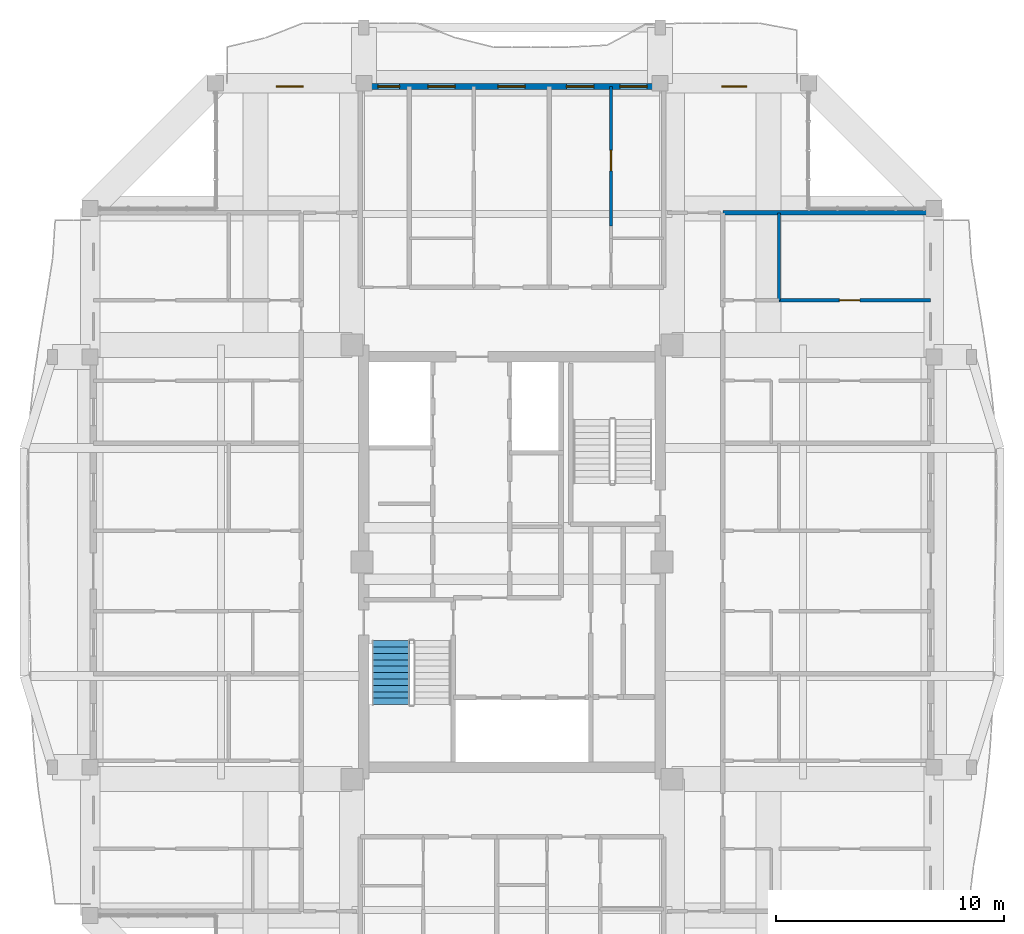
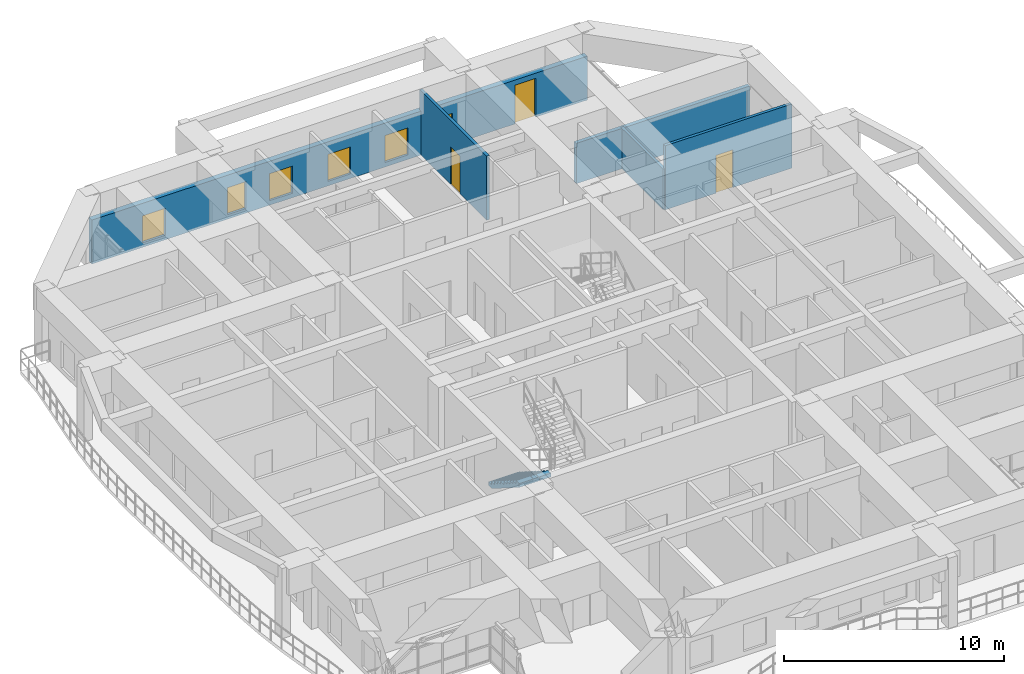
# One storey, part 16 of 22: 6 windows, 5 walls, 3 doors, 1 stair flight, 9 openings, 1 element without a shape of its own.
"""IFC4 building model written with IfcOpenShell, lengths in metres."""

from ifc_helpers import new_model, si_unit, direction, frame, frame_2d, origin, place, context, subcontext, project, spatial, polyline, rectangle, outline, extrude, source, transform, mapped, material, layer, layer_set, type_object, element, fill, aggregate, save


model = new_model("IFC4")

# Units and contexts
model_context = context("Model", 3, precision=1e-05, world=origin(), true_north=direction((0.0, 1.0)))
body_context = subcontext(model_context, "Body", "Model", "MODEL_VIEW")
ifc_project = project(units=[si_unit("LENGTHUNIT", "METRE"), si_unit("AREAUNIT", "SQUARE_METRE"), si_unit("VOLUMEUNIT", "CUBIC_METRE"), si_unit("PLANEANGLEUNIT", "RADIAN"), si_unit("MASSUNIT", "GRAM", prefix="KILO")], contexts=[model_context])

# Site, building, storey
site_placement = place(None, origin())
site = spatial("IfcSite", under=ifc_project, at=site_placement, CompositionType="ELEMENT")
building_placement = place(site_placement, origin())
building = spatial("IfcBuilding", under=site, at=building_placement, Name="Saelheon Loggia Tower", CompositionType="ELEMENT")
storey_placement = place(building_placement, frame((0.0, 0.0, 216.300048828125)))
storey = spatial("IfcBuildingStorey", under=building, at=storey_placement, Name="L67", CompositionType="ELEMENT", Elevation=216.300048828125)

# Wall, openings, windows, door
ifc_material_1 = material(Name="Architectural Precast Concrete C40/50", Category="concrete")
ifc_layer_1 = layer(ifc_material_1, 0.280029296875)
ifc_layer_set_1 = layer_set([ifc_layer_1], Name="Architectural Precast Concrete C40/50")
wall_type_1 = type_object("IfcWallType", Name="Wall_Ext_Loggia_280", PredefinedType="SOLIDWALL", material=ifc_layer_set_1)
wall_1_placement = place(storey_placement, frame((25.0, 47.860107421875, 0.0), z_axis=(0.0, 0.0, 1.0), x_axis=(1.0, 0.0, 0.0)))
wall_1 = element("IfcWall", 1, at=wall_1_placement, inside=storey, type_object=wall_type_1, Name="L67 North Loggia Inner Wall", PredefinedType="SOLIDWALL", context=body_context, shape_type="SweptSolid", body=[
    extrude(rectangle(XDim=26.0, YDim=0.280029296875, at=frame_2d((13.0, 0.0))), origin(), (0.0, 0.0, 1.0), 2.43994140625),
])
opening_1_placement = place(wall_1_placement, frame((2.64990234375, 0.0, 0.25)))
opening_1 = element("IfcOpeningElement", 2, at=opening_1_placement, cuts=wall_1, Name="Opening WN-03", PredefinedType="OPENING", context=body_context, shape_type="SweptSolid", body=[
    extrude(rectangle(XDim=1.199951171875, YDim=1.5, at=frame_2d((0.60009765625, 0.75))), frame((0.0, 0.152099609375, 0.0), z_axis=(0.0, -1.0, 0.0), x_axis=(1.0, 0.0, 0.0)), (0.0, 0.0, 1.0), 0.303955078125),
])
opening_2_placement = place(wall_1_placement, frame((7.1201171875, 0.0, 0.25)))
opening_2 = element("IfcOpeningElement", 3, at=opening_2_placement, cuts=wall_1, Name="Opening WN-04", PredefinedType="OPENING", context=body_context, shape_type="SweptSolid", body=[
    extrude(rectangle(XDim=0.949951171875, YDim=1.5, at=frame_2d((0.47509765625, 0.75))), frame((0.0, 0.152099609375, 0.0), z_axis=(0.0, -1.0, 0.0), x_axis=(1.0, 0.0, 0.0)), (0.0, 0.0, 1.0), 0.303955078125),
])
opening_3_placement = place(wall_1_placement, frame((9.310546875, 0.0, 0.25)))
opening_3 = element("IfcOpeningElement", 4, at=opening_3_placement, cuts=wall_1, Name="Opening WN-03", PredefinedType="OPENING", context=body_context, shape_type="SweptSolid", body=[
    extrude(rectangle(XDim=1.199951171875, YDim=1.5, at=frame_2d((0.60009765625, 0.75))), frame((0.0, 0.152099609375, 0.0), z_axis=(0.0, -1.0, 0.0), x_axis=(1.0, 0.0, 0.0)), (0.0, 0.0, 1.0), 0.303955078125),
])
opening_4_placement = place(wall_1_placement, frame((12.376708984375, 0.0, 0.25)))
opening_4 = element("IfcOpeningElement", 5, at=opening_4_placement, cuts=wall_1, Name="Opening WN-03", PredefinedType="OPENING", context=body_context, shape_type="SweptSolid", body=[
    extrude(rectangle(XDim=1.199951171875, YDim=1.5, at=frame_2d((0.60009765625, 0.75))), frame((0.0, 0.152099609375, 0.0), z_axis=(0.0, -1.0, 0.0), x_axis=(1.0, 0.0, 0.0)), (0.0, 0.0, 1.0), 0.303955078125),
])
opening_5_placement = place(wall_1_placement, frame((15.38720703125, 0.0, 0.25)))
opening_5 = element("IfcOpeningElement", 6, at=opening_5_placement, cuts=wall_1, Name="Opening WN-03", PredefinedType="OPENING", context=body_context, shape_type="SweptSolid", body=[
    extrude(rectangle(XDim=1.199951171875, YDim=1.5, at=frame_2d((0.60009765625, 0.75))), frame((0.0, 0.152099609375, 0.0), z_axis=(0.0, -1.0, 0.0), x_axis=(1.0, 0.0, 0.0)), (0.0, 0.0, 1.0), 0.303955078125),
])
opening_6_placement = place(wall_1_placement, frame((17.72607421875, 0.0, 0.25)))
opening_6 = element("IfcOpeningElement", 7, at=opening_6_placement, cuts=wall_1, Name="Opening WN-03", PredefinedType="OPENING", context=body_context, shape_type="SweptSolid", body=[
    extrude(rectangle(XDim=1.199951171875, YDim=1.5, at=frame_2d((0.60009765625, 0.75))), frame((0.0, 0.152099609375, 0.0), z_axis=(0.0, -1.0, 0.0), x_axis=(1.0, 0.0, 0.0)), (0.0, 0.0, 1.0), 0.303955078125),
])
opening_7_placement = place(wall_1_placement, frame((22.199951171875, 0.0, 0.0)))
opening_7 = element("IfcOpeningElement", 8, at=opening_7_placement, cuts=wall_1, Name="Opening TD1", PredefinedType="OPENING", context=body_context, shape_type="SweptSolid", body=[
    extrude(rectangle(XDim=1.10009765625, YDim=2.14990234375, at=frame_2d((0.550048828125, 1.074951171875))), frame((0.0, 0.152099609375, 0.0), z_axis=(0.0, -1.0, 0.0), x_axis=(1.0, 0.0, 0.0)), (0.0, 0.0, 1.0), 0.303955078125),
])
ifc_material_2 = material(Name="Thermal-Break Aluminium and Triple Low-E Glass", Category="aluminium")
window_type_1 = type_object("IfcWindowType", Name="Win_Bedroom_1200x1500", PartitioningType="SINGLE_PANEL", PredefinedType="WINDOW", material=ifc_material_2)
shared_shape_1 = source(origin(), body_context, "Body", "SweptSolid", [
    extrude(rectangle(XDim=1.199951171875, YDim=1.5, at=frame_2d((0.60009765625, 0.75))), frame((0.0, 0.030029296875, 0.0), z_axis=(0.0, -1.0, 0.0), x_axis=(1.0, 0.0, 0.0)), (0.0, 0.0, 1.0), 0.06005859375),
])
window_1_placement = place(opening_1_placement, origin())
window_1 = element("IfcWindow", 9, at=window_1_placement, inside=storey, type_object=window_type_1, Name="L67 N Dwelling Window 1", OverallHeight=1.5, OverallWidth=1.199951171875, PartitioningType="SINGLE_PANEL", PredefinedType="WINDOW", context=body_context, shape_type="MappedRepresentation", body=[
    mapped(shared_shape_1, transform((0.0, 0.0, 0.0), scale=1.0)),
])
fill(opening_1, window_1)
window_2_placement = place(opening_3_placement, origin())
window_2 = element("IfcWindow", 10, at=window_2_placement, inside=storey, type_object=window_type_1, Name="L67 N Dwelling Window 3", OverallHeight=1.5, OverallWidth=1.199951171875, PartitioningType="SINGLE_PANEL", PredefinedType="WINDOW", context=body_context, shape_type="MappedRepresentation", body=[
    mapped(shared_shape_1, transform((0.0, 0.0, 0.0), scale=1.0)),
])
fill(opening_3, window_2)
window_3_placement = place(opening_4_placement, origin())
window_3 = element("IfcWindow", 11, at=window_3_placement, inside=storey, type_object=window_type_1, Name="L67 N Dwelling Window 4", OverallHeight=1.5, OverallWidth=1.199951171875, PartitioningType="SINGLE_PANEL", PredefinedType="WINDOW", context=body_context, shape_type="MappedRepresentation", body=[
    mapped(shared_shape_1, transform((0.0, 0.0, 0.0), scale=1.0)),
])
fill(opening_4, window_3)
window_4_placement = place(opening_5_placement, origin())
window_4 = element("IfcWindow", 12, at=window_4_placement, inside=storey, type_object=window_type_1, Name="L67 N Dwelling Window 5", OverallHeight=1.5, OverallWidth=1.199951171875, PartitioningType="SINGLE_PANEL", PredefinedType="WINDOW", context=body_context, shape_type="MappedRepresentation", body=[
    mapped(shared_shape_1, transform((0.0, 0.0, 0.0), scale=1.0)),
])
fill(opening_5, window_4)
window_5_placement = place(opening_6_placement, origin())
window_5 = element("IfcWindow", 13, at=window_5_placement, inside=storey, type_object=window_type_1, Name="L67 N Dwelling Window 6", OverallHeight=1.5, OverallWidth=1.199951171875, PartitioningType="SINGLE_PANEL", PredefinedType="WINDOW", context=body_context, shape_type="MappedRepresentation", body=[
    mapped(shared_shape_1, transform((0.0, 0.0, 0.0), scale=1.0)),
])
fill(opening_6, window_5)
ifc_material_3 = material(Name="Thermal-Break Aluminium Glazed Door", Category="aluminium")
door_type_1 = type_object("IfcDoorType", Name="Door_Terrace_TD1", OperationType="NOTDEFINED", PredefinedType="DOOR", material=ifc_material_3)
shared_shape_2 = source(origin(), body_context, "Body", "SweptSolid", [
    extrude(rectangle(XDim=1.10009765625, YDim=2.14990234375, at=frame_2d((0.550048828125, 1.074951171875))), frame((0.0, 0.02490234375, 0.0), z_axis=(0.0, -1.0, 0.0), x_axis=(1.0, 0.0, 0.0)), (0.0, 0.0, 1.0), 0.050048828125),
])
door_1_placement = place(opening_7_placement, origin())
door_1 = element("IfcDoor", 14, at=door_1_placement, inside=storey, type_object=door_type_1, Name="L67 N Loggia Access Door", OperationType="SINGLE_SWING_LEFT", OverallHeight=2.14990234375, OverallWidth=1.10009765625, PredefinedType="DOOR", context=body_context, shape_type="MappedRepresentation", body=[
    mapped(shared_shape_2, transform((0.0, 0.0, 0.0), scale=1.0)),
])
fill(opening_7, door_1)
window_type_2 = type_object("IfcWindowType", Name="Win_Narrow_950x1500", PartitioningType="SINGLE_PANEL", PredefinedType="WINDOW", material=ifc_material_2)
shared_shape_3 = source(origin(), body_context, "Body", "SweptSolid", [
    extrude(rectangle(XDim=0.949951171875, YDim=1.5, at=frame_2d((0.47509765625, 0.75))), frame((0.0, 0.030029296875, 0.0), z_axis=(0.0, -1.0, 0.0), x_axis=(1.0, 0.0, 0.0)), (0.0, 0.0, 1.0), 0.06005859375),
])
window_6_placement = place(opening_2_placement, origin())
window_6 = element("IfcWindow", 15, at=window_6_placement, inside=storey, type_object=window_type_2, Name="L67 N Dwelling Window 2", OverallHeight=1.5, OverallWidth=0.949951171875, PartitioningType="SINGLE_PANEL", PredefinedType="WINDOW", context=body_context, shape_type="MappedRepresentation", body=[
    mapped(shared_shape_3, transform((0.0, 0.0, 0.0), scale=1.0)),
])
fill(opening_2, window_6)

# Wall, opening, door
ifc_material_4 = material(Name="Lightweight Autoclaved Aerated Concrete Block and Acoustic Gypsum", Category="concrete")
ifc_layer_2 = layer(ifc_material_4, 0.14990234375)
ifc_layer_set_2 = layer_set([ifc_layer_2], Name="Lightweight Autoclaved Aerated Concrete Block and Acoustic Gypsum")
wall_type_2 = type_object("IfcWallType", Name="Wall_Part_150", PredefinedType="PARTITIONING", material=ifc_layer_set_2)
wall_2_placement = place(storey_placement, frame((42.341796875, 41.75, 0.0), z_axis=(0.0, 0.0, 1.0), x_axis=(0.0, 1.0, 0.0)))
wall_2 = element("IfcWall", 16, at=wall_2_placement, inside=storey, type_object=wall_type_2, Name="L67 N Partition U17", PredefinedType="PARTITIONING", context=body_context, shape_type="SweptSolid", body=[
    extrude(rectangle(XDim=6.10009765625, YDim=0.14990234375, at=frame_2d((3.050048828125, 0.0))), origin(), (0.0, 0.0, 1.0), 3.56005859375),
])
opening_8_placement = place(wall_2_placement, frame((2.4033203125, 0.0, 0.0)))
opening_8 = element("IfcOpeningElement", 17, at=opening_8_placement, cuts=wall_2, Name="Opening D-IN2", PredefinedType="OPENING", context=body_context, shape_type="SweptSolid", body=[
    extrude(rectangle(XDim=0.89990234375, YDim=2.10009765625, at=frame_2d((0.449951171875, 1.050048828125))), frame((0.0, 0.0869140625, 0.0), z_axis=(0.0, -1.0, 0.0), x_axis=(1.0, 0.0, 0.0)), (0.0, 0.0, 1.0), 0.173828125),
])
ifc_material_5 = material(Name="Engineered Oak Flush Door", Category="timber")
door_type_2 = type_object("IfcDoorType", Name="Door_Int_900", OperationType="NOTDEFINED", PredefinedType="DOOR", material=ifc_material_5)
shared_shape_4 = source(origin(), body_context, "Body", "SweptSolid", [
    extrude(rectangle(XDim=0.89990234375, YDim=2.10009765625, at=frame_2d((0.449951171875, 1.050048828125))), frame((0.0, 0.02490234375, 0.0), z_axis=(0.0, -1.0, 0.0), x_axis=(1.0, 0.0, 0.0)), (0.0, 0.0, 1.0), 0.050048828125),
])
door_2_placement = place(opening_8_placement, origin())
door_2 = element("IfcDoor", 18, at=door_2_placement, inside=storey, type_object=door_type_2, Name="Unit U04 Kitchen Door", OperationType="SINGLE_SWING_RIGHT", OverallHeight=2.10009765625, OverallWidth=0.89990234375, PredefinedType="DOOR", context=body_context, shape_type="MappedRepresentation", body=[
    mapped(shared_shape_4, transform((0.0, 0.0, 0.0), scale=1.0)),
])
fill(opening_8, door_2)

# Wall
wall_3_placement = place(storey_placement, frame((49.7099609375, 38.477783203125, 0.0), z_axis=(0.0, 0.0, 1.0), x_axis=(0.0, 1.0, 0.0)))
element("IfcWall", 19, at=wall_3_placement, inside=storey, type_object=wall_type_2, Name="L67 E Partition V27", PredefinedType="PARTITIONING", context=body_context, shape_type="SweptSolid", body=[
    extrude(rectangle(XDim=3.84228515625, YDim=0.14990234375, at=frame_2d((1.921142578125, 0.0))), origin(), (0.0, 0.0, 1.0), 2.239990234375),
])

# Wall, opening, door
wall_4_placement = place(storey_placement, frame((49.7099609375, 38.477783203125, 0.0), z_axis=(0.0, 0.0, 1.0), x_axis=(1.0, 0.0, 0.0)))
wall_4 = element("IfcWall", 20, at=wall_4_placement, inside=storey, type_object=wall_type_2, Name="L67 E Partition U31", PredefinedType="PARTITIONING", context=body_context, shape_type="SweptSolid", body=[
    extrude(rectangle(XDim=6.64013671875, YDim=0.14990234375, at=frame_2d((3.320068359375, 0.0))), origin(), (0.0, 0.0, 1.0), 3.56005859375),
])
opening_9_placement = place(wall_4_placement, frame((2.65087890625, 0.0, 0.0)))
opening_9 = element("IfcOpeningElement", 21, at=opening_9_placement, cuts=wall_4, Name="Opening D-IN2", PredefinedType="OPENING", context=body_context, shape_type="SweptSolid", body=[
    extrude(rectangle(XDim=0.89990234375, YDim=2.10009765625, at=frame_2d((0.449951171875, 1.050048828125))), frame((0.0, 0.0869140625, 0.0), z_axis=(0.0, -1.0, 0.0), x_axis=(1.0, 0.0, 0.0)), (0.0, 0.0, 1.0), 0.173828125),
])
door_3_placement = place(opening_9_placement, origin())
door_3 = element("IfcDoor", 22, at=door_3_placement, inside=storey, type_object=door_type_2, Name="Unit U10 Bedroom 1 Door", OperationType="SINGLE_SWING_RIGHT", OverallHeight=2.10009765625, OverallWidth=0.89990234375, PredefinedType="DOOR", context=body_context, shape_type="MappedRepresentation", body=[
    mapped(shared_shape_4, transform((0.0, 0.0, 0.0), scale=1.0)),
])
fill(opening_9, door_3)

# Wall
ifc_material_6 = material(Name="Double Acoustic Stud and Fireboard Partition", Category="gypsum")
ifc_layer_3 = layer(ifc_material_6, 0.199951171875)
ifc_layer_set_3 = layer_set([ifc_layer_3], Name="Double Acoustic Stud and Fireboard Partition")
wall_type_3 = type_object("IfcWallType", Name="Wall_Party_200", PredefinedType="PARTITIONING", material=ifc_layer_set_3)
wall_5_placement = place(storey_placement, frame((47.25, 42.320068359375, 0.0), z_axis=(0.0, 0.0, 1.0), x_axis=(1.0, 0.0, 0.0)))
element("IfcWall", 23, at=wall_5_placement, inside=storey, type_object=wall_type_3, Name="L67 E Partition U02", PredefinedType="PARTITIONING", context=body_context, shape_type="SweptSolid", body=[
    extrude(rectangle(XDim=9.10009765625, YDim=0.199951171875, at=frame_2d((4.550048828125, 0.0))), origin(), (0.0, 0.0, 1.0), 2.239990234375),
])

# Stair, stair flight
ifc_material_7 = material(Name="Concrete C40/50", Category="concrete")
stair_type = type_object("IfcStairType", Name="Stair_Escape_Core", PredefinedType="HALF_TURN_STAIR", material=ifc_material_7)
stair_placement = place(storey_placement, origin())
stair = element("IfcStair", 24, at=stair_placement, inside=storey, type_object=stair_type, Name="L67 Special Escape Stair ST1", PredefinedType="HALF_TURN_STAIR")
stair_flight_type = type_object("IfcStairFlightType", Name="StairFlight_Tower_1660", PredefinedType="STRAIGHT", material=ifc_material_7)
stair_flight_placement = place(storey_placement, frame((32.679931640625, 23.550048828125, 0.0), z_axis=(0.0, 0.0, 1.0), x_axis=(0.0, -1.0, 0.0)))
stair_flight = element("IfcStairFlight", 25, at=stair_flight_placement, type_object=stair_flight_type, Name="ST1 flight 1", NumberOfRisers=11, NumberOfTreads=10, PredefinedType="STRAIGHT", RiserHeight=0.177272727, TreadLength=0.28, context=body_context, shape_type="SweptSolid", body=[
    extrude(outline(polyline([(0.0, 0.0), (0.0, 0.17724609375), (0.280029296875, 0.17724609375), (0.280029296875, 0.3544921875), (0.56005859375, 0.3544921875), (0.56005859375, 0.53173828125), (0.840087890625, 0.53173828125), (0.840087890625, 0.708984375), (1.1201171875, 0.708984375), (1.1201171875, 0.886474609375), (1.39990234375, 0.886474609375), (1.39990234375, 1.063720703125), (1.679931640625, 1.063720703125), (1.679931640625, 1.240966796875), (1.9599609375, 1.240966796875), (1.9599609375, 1.418212890625), (2.239990234375, 1.418212890625), (2.239990234375, 1.595458984375), (2.52001953125, 1.595458984375), (2.52001953125, 1.772705078125), (2.800048828125, 1.772705078125), (2.800048828125, 1.949951171875), (2.800048828125, 1.559814453125), (0.33642578125, 0.0), (0.0, 0.0)])), frame((0.0, -0.2490234375, 0.0), z_axis=(0.0, -1.0, 0.0), x_axis=(1.0, 0.0, 0.0)), (0.0, 0.0, 1.0), 0.5810546875),
    extrude(outline(polyline([(0.0, 0.0), (0.0, 0.17724609375), (0.280029296875, 0.17724609375), (0.280029296875, 0.3544921875), (0.56005859375, 0.3544921875), (0.56005859375, 0.53173828125), (0.840087890625, 0.53173828125), (0.840087890625, 0.708984375), (1.1201171875, 0.708984375), (1.1201171875, 0.886474609375), (1.39990234375, 0.886474609375), (1.39990234375, 1.063720703125), (1.679931640625, 1.063720703125), (1.679931640625, 1.240966796875), (1.9599609375, 1.240966796875), (1.9599609375, 1.418212890625), (2.239990234375, 1.418212890625), (2.239990234375, 1.595458984375), (2.52001953125, 1.595458984375), (2.52001953125, 1.772705078125), (2.800048828125, 1.772705078125), (2.800048828125, 1.949951171875), (2.800048828125, 1.559814453125), (0.33642578125, 0.0), (0.0, 0.0)])), frame((0.0, -0.194091796875, 0.0), z_axis=(0.0, -1.0, 0.0), x_axis=(1.0, 0.0, 0.0)), (0.0, 0.0, 1.0), 0.0498046875),
    extrude(outline(polyline([(0.0, 0.0), (0.0, 0.17724609375), (0.280029296875, 0.17724609375), (0.280029296875, 0.3544921875), (0.56005859375, 0.3544921875), (0.56005859375, 0.53173828125), (0.840087890625, 0.53173828125), (0.840087890625, 0.708984375), (1.1201171875, 0.708984375), (1.1201171875, 0.886474609375), (1.39990234375, 0.886474609375), (1.39990234375, 1.063720703125), (1.679931640625, 1.063720703125), (1.679931640625, 1.240966796875), (1.9599609375, 1.240966796875), (1.9599609375, 1.418212890625), (2.239990234375, 1.418212890625), (2.239990234375, 1.595458984375), (2.52001953125, 1.595458984375), (2.52001953125, 1.772705078125), (2.800048828125, 1.772705078125), (2.800048828125, 1.949951171875), (2.800048828125, 1.559814453125), (0.33642578125, 0.0), (0.0, 0.0)])), frame((0.0, -0.139404296875, 0.0), z_axis=(0.0, -1.0, 0.0), x_axis=(1.0, 0.0, 0.0)), (0.0, 0.0, 1.0), 0.0498046875),
    extrude(outline(polyline([(0.0, 0.0), (0.0, 0.17724609375), (0.280029296875, 0.17724609375), (0.280029296875, 0.3544921875), (0.56005859375, 0.3544921875), (0.56005859375, 0.53173828125), (0.840087890625, 0.53173828125), (0.840087890625, 0.708984375), (1.1201171875, 0.708984375), (1.1201171875, 0.886474609375), (1.39990234375, 0.886474609375), (1.39990234375, 1.063720703125), (1.679931640625, 1.063720703125), (1.679931640625, 1.240966796875), (1.9599609375, 1.240966796875), (1.9599609375, 1.418212890625), (2.239990234375, 1.418212890625), (2.239990234375, 1.595458984375), (2.52001953125, 1.595458984375), (2.52001953125, 1.772705078125), (2.800048828125, 1.772705078125), (2.800048828125, 1.949951171875), (2.800048828125, 1.559814453125), (0.33642578125, 0.0), (0.0, 0.0)])), frame((0.0, -0.084716796875, 0.0), z_axis=(0.0, -1.0, 0.0), x_axis=(1.0, 0.0, 0.0)), (0.0, 0.0, 1.0), 0.0498046875),
    extrude(outline(polyline([(0.0, 0.0), (0.0, 0.17724609375), (0.280029296875, 0.17724609375), (0.280029296875, 0.3544921875), (0.56005859375, 0.3544921875), (0.56005859375, 0.53173828125), (0.840087890625, 0.53173828125), (0.840087890625, 0.708984375), (1.1201171875, 0.708984375), (1.1201171875, 0.886474609375), (1.39990234375, 0.886474609375), (1.39990234375, 1.063720703125), (1.679931640625, 1.063720703125), (1.679931640625, 1.240966796875), (1.9599609375, 1.240966796875), (1.9599609375, 1.418212890625), (2.239990234375, 1.418212890625), (2.239990234375, 1.595458984375), (2.52001953125, 1.595458984375), (2.52001953125, 1.772705078125), (2.800048828125, 1.772705078125), (2.800048828125, 1.949951171875), (2.800048828125, 1.559814453125), (0.33642578125, 0.0), (0.0, 0.0)])), frame((0.0, -0.02978515625, 0.0), z_axis=(0.0, -1.0, 0.0), x_axis=(1.0, 0.0, 0.0)), (0.0, 0.0, 1.0), 0.0498046875),
    extrude(outline(polyline([(0.0, 0.0), (0.0, 0.17724609375), (0.280029296875, 0.17724609375), (0.280029296875, 0.3544921875), (0.56005859375, 0.3544921875), (0.56005859375, 0.53173828125), (0.840087890625, 0.53173828125), (0.840087890625, 0.708984375), (1.1201171875, 0.708984375), (1.1201171875, 0.886474609375), (1.39990234375, 0.886474609375), (1.39990234375, 1.063720703125), (1.679931640625, 1.063720703125), (1.679931640625, 1.240966796875), (1.9599609375, 1.240966796875), (1.9599609375, 1.418212890625), (2.239990234375, 1.418212890625), (2.239990234375, 1.595458984375), (2.52001953125, 1.595458984375), (2.52001953125, 1.772705078125), (2.800048828125, 1.772705078125), (2.800048828125, 1.949951171875), (2.800048828125, 1.559814453125), (0.33642578125, 0.0), (0.0, 0.0)])), frame((0.0, 0.02490234375, 0.0), z_axis=(0.0, -1.0, 0.0), x_axis=(1.0, 0.0, 0.0)), (0.0, 0.0, 1.0), 0.0498046875),
    extrude(outline(polyline([(0.0, 0.0), (0.0, 0.17724609375), (0.280029296875, 0.17724609375), (0.280029296875, 0.3544921875), (0.56005859375, 0.3544921875), (0.56005859375, 0.53173828125), (0.840087890625, 0.53173828125), (0.840087890625, 0.708984375), (1.1201171875, 0.708984375), (1.1201171875, 0.886474609375), (1.39990234375, 0.886474609375), (1.39990234375, 1.063720703125), (1.679931640625, 1.063720703125), (1.679931640625, 1.240966796875), (1.9599609375, 1.240966796875), (1.9599609375, 1.418212890625), (2.239990234375, 1.418212890625), (2.239990234375, 1.595458984375), (2.52001953125, 1.595458984375), (2.52001953125, 1.772705078125), (2.800048828125, 1.772705078125), (2.800048828125, 1.949951171875), (2.800048828125, 1.559814453125), (0.33642578125, 0.0), (0.0, 0.0)])), frame((0.0, 0.07958984375, 0.0), z_axis=(0.0, -1.0, 0.0), x_axis=(1.0, 0.0, 0.0)), (0.0, 0.0, 1.0), 0.0498046875),
    extrude(outline(polyline([(0.0, 0.0), (0.0, 0.17724609375), (0.280029296875, 0.17724609375), (0.280029296875, 0.3544921875), (0.56005859375, 0.3544921875), (0.56005859375, 0.53173828125), (0.840087890625, 0.53173828125), (0.840087890625, 0.708984375), (1.1201171875, 0.708984375), (1.1201171875, 0.886474609375), (1.39990234375, 0.886474609375), (1.39990234375, 1.063720703125), (1.679931640625, 1.063720703125), (1.679931640625, 1.240966796875), (1.9599609375, 1.240966796875), (1.9599609375, 1.418212890625), (2.239990234375, 1.418212890625), (2.239990234375, 1.595458984375), (2.52001953125, 1.595458984375), (2.52001953125, 1.772705078125), (2.800048828125, 1.772705078125), (2.800048828125, 1.949951171875), (2.800048828125, 1.559814453125), (0.33642578125, 0.0), (0.0, 0.0)])), frame((0.0, 0.134521484375, 0.0), z_axis=(0.0, -1.0, 0.0), x_axis=(1.0, 0.0, 0.0)), (0.0, 0.0, 1.0), 0.0498046875),
    extrude(outline(polyline([(0.0, 0.0), (0.0, 0.17724609375), (0.280029296875, 0.17724609375), (0.280029296875, 0.3544921875), (0.56005859375, 0.3544921875), (0.56005859375, 0.53173828125), (0.840087890625, 0.53173828125), (0.840087890625, 0.708984375), (1.1201171875, 0.708984375), (1.1201171875, 0.886474609375), (1.39990234375, 0.886474609375), (1.39990234375, 1.063720703125), (1.679931640625, 1.063720703125), (1.679931640625, 1.240966796875), (1.9599609375, 1.240966796875), (1.9599609375, 1.418212890625), (2.239990234375, 1.418212890625), (2.239990234375, 1.595458984375), (2.52001953125, 1.595458984375), (2.52001953125, 1.772705078125), (2.800048828125, 1.772705078125), (2.800048828125, 1.949951171875), (2.800048828125, 1.559814453125), (0.33642578125, 0.0), (0.0, 0.0)])), frame((0.0, 0.189208984375, 0.0), z_axis=(0.0, -1.0, 0.0), x_axis=(1.0, 0.0, 0.0)), (0.0, 0.0, 1.0), 0.0498046875),
    extrude(outline(polyline([(0.0, 0.0), (0.0, 0.17724609375), (0.280029296875, 0.17724609375), (0.280029296875, 0.3544921875), (0.56005859375, 0.3544921875), (0.56005859375, 0.53173828125), (0.840087890625, 0.53173828125), (0.840087890625, 0.708984375), (1.1201171875, 0.708984375), (1.1201171875, 0.886474609375), (1.39990234375, 0.886474609375), (1.39990234375, 1.063720703125), (1.679931640625, 1.063720703125), (1.679931640625, 1.240966796875), (1.9599609375, 1.240966796875), (1.9599609375, 1.418212890625), (2.239990234375, 1.418212890625), (2.239990234375, 1.595458984375), (2.52001953125, 1.595458984375), (2.52001953125, 1.772705078125), (2.800048828125, 1.772705078125), (2.800048828125, 1.949951171875), (2.800048828125, 1.559814453125), (0.33642578125, 0.0), (0.0, 0.0)])), frame((0.0, 0.243896484375, 0.0), z_axis=(0.0, -1.0, 0.0), x_axis=(1.0, 0.0, 0.0)), (0.0, 0.0, 1.0), 0.0498046875),
    extrude(outline(polyline([(0.0, 0.0), (0.0, 0.17724609375), (0.280029296875, 0.17724609375), (0.280029296875, 0.3544921875), (0.56005859375, 0.3544921875), (0.56005859375, 0.53173828125), (0.840087890625, 0.53173828125), (0.840087890625, 0.708984375), (1.1201171875, 0.708984375), (1.1201171875, 0.886474609375), (1.39990234375, 0.886474609375), (1.39990234375, 1.063720703125), (1.679931640625, 1.063720703125), (1.679931640625, 1.240966796875), (1.9599609375, 1.240966796875), (1.9599609375, 1.418212890625), (2.239990234375, 1.418212890625), (2.239990234375, 1.595458984375), (2.52001953125, 1.595458984375), (2.52001953125, 1.772705078125), (2.800048828125, 1.772705078125), (2.800048828125, 1.949951171875), (2.800048828125, 1.559814453125), (0.33642578125, 0.0), (0.0, 0.0)])), frame((0.0, 0.830078125, 0.0), z_axis=(0.0, -1.0, 0.0), x_axis=(1.0, 0.0, 0.0)), (0.0, 0.0, 1.0), 0.5810546875),
])
aggregate(stair, [stair_flight])

save(model, "model.ifc")
